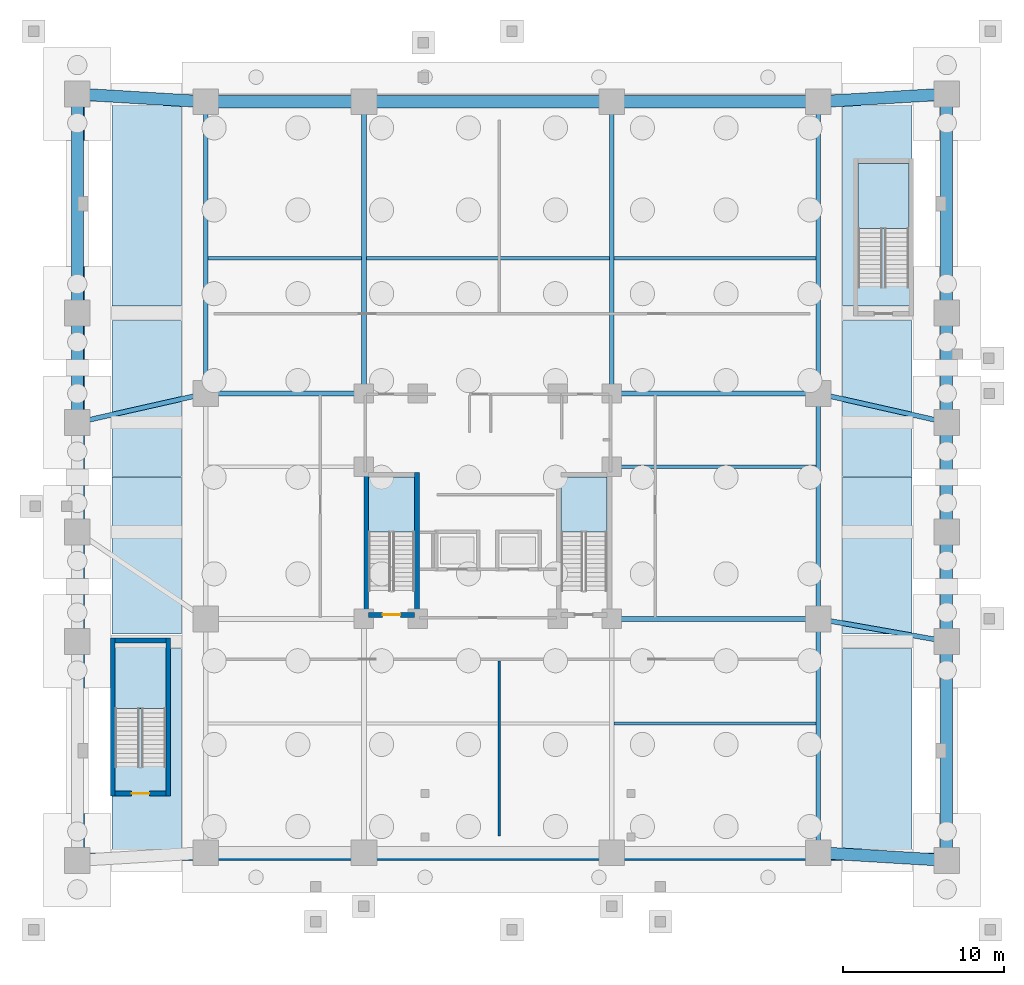
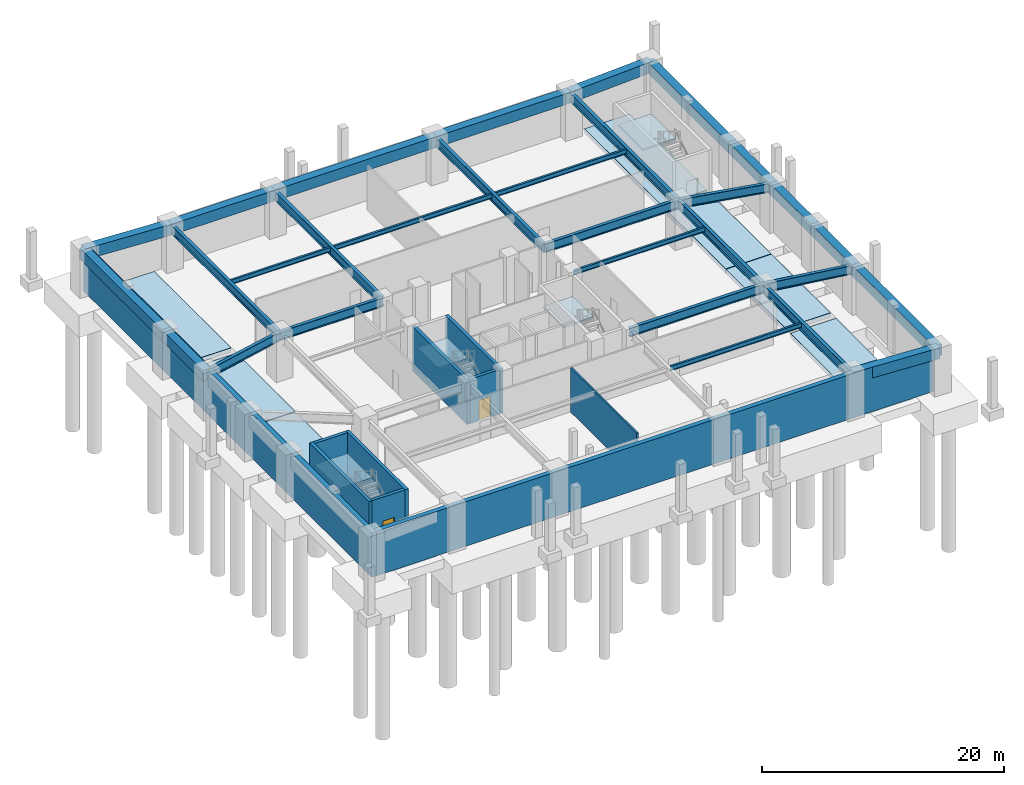
# One storey, part 3 of 8: 30 beams, 12 slabs, 10 walls, 2 doors, 2 openings, 4 elements without a shape of their own.
"""IFC4 building model written with IfcOpenShell, lengths in metres."""

from ifc_helpers import new_model, si_unit, derived_unit, direction, frame, frame_2d, origin, origin_2d, place, context, subcontext, project, spatial, polyline, rectangle, i_section, outline, extrude, material, layer, layer_set, material_profile, profile_set, type_object, element, fill, aggregate, save


model = new_model("IFC4")

# Units and contexts
model_context = context("Model", 3, precision=1e-05, world=origin(), true_north=direction((0.0, 1.0)))
body_context = subcontext(model_context, "Body", "Model", "MODEL_VIEW")
ifc_project = project(units=[si_unit("LENGTHUNIT", "METRE"), si_unit("AREAUNIT", "SQUARE_METRE"), si_unit("VOLUMEUNIT", "CUBIC_METRE"), si_unit("PLANEANGLEUNIT", "RADIAN"), si_unit("MASSUNIT", "GRAM", prefix="KILO"), derived_unit("THERMALTRANSMITTANCEUNIT", [(si_unit("MASSUNIT", "GRAM", prefix="KILO"), 1), (si_unit("TIMEUNIT", "SECOND"), -3), (si_unit("THERMODYNAMICTEMPERATUREUNIT", "KELVIN"), -1)])], contexts=[model_context])

# Site, building, storey
site_placement = place(None, origin())
site = spatial("IfcSite", under=ifc_project, at=site_placement, CompositionType="ELEMENT")
building_placement = place(site_placement, origin())
building = spatial("IfcBuilding", under=site, at=building_placement, Name="Korrvale Station Residences", CompositionType="ELEMENT")
storey_placement = place(building_placement, frame((0.0, 0.0, -9.60009765625)))
storey = spatial("IfcBuildingStorey", under=building, at=storey_placement, Name="B02", CompositionType="ELEMENT", Elevation=-9.60009765625)

# Beams
ifc_material_1 = material(Name="Steel S355", Category="steel")
ifc_material_profile_1 = material_profile(ifc_material_1, i_section(OverallWidth=0.300048828125, OverallDepth=0.89990234375, WebThickness=0.01611328125, FlangeThickness=0.030029296875, FilletRadius=0.01611328125, at=origin_2d()), Name="WWF900x262")
ifc_profile_set_1 = profile_set([ifc_material_profile_1], Name="Steel S355")
beam_type_1 = type_object("IfcBeamType", Name="BM-BM-WWF900x262-S355", PredefinedType="BEAM", material=ifc_profile_set_1)
beam_1_placement = place(storey_placement, frame((7.97998046875, 29.0, 4.030029296875), z_axis=(0.0, 1.0, 0.0), x_axis=(-1.0, 0.0, 0.0)))
element("IfcBeam", 1, at=beam_1_placement, inside=storey, type_object=beam_type_1, Name="B02 Station Primary Girder 03", PredefinedType="BEAM", context=body_context, shape_type="SweptSolid", body=[
    extrude(i_section(OverallWidth=0.300048828125, OverallDepth=0.89990234375, WebThickness=0.01611328125, FlangeThickness=0.030029296875, FilletRadius=0.01611328125, at=origin_2d()), origin(), (0.0, 0.0, 1.0), 18.1201171875),
])
beam_2_placement = place(storey_placement, frame((46.02001953125, 0.47998046875, 4.030029296875), z_axis=(0.0, 1.0, 0.0), x_axis=(-1.0, 0.0, 0.0)))
element("IfcBeam", 2, at=beam_2_placement, inside=storey, type_object=beam_type_1, Name="B02 Station Primary Girder 04", PredefinedType="BEAM", context=body_context, shape_type="SweptSolid", body=[
    extrude(i_section(OverallWidth=0.300048828125, OverallDepth=0.89990234375, WebThickness=0.01611328125, FlangeThickness=0.030029296875, FilletRadius=0.01611328125, at=origin_2d()), origin(), (0.0, 0.0, 1.0), 14.52001953125),
])
beam_3_placement = place(storey_placement, frame((46.02001953125, 15.0, 4.030029296875), z_axis=(0.0, 1.0, 0.0), x_axis=(-1.0, 0.0, 0.0)))
element("IfcBeam", 3, at=beam_3_placement, inside=storey, type_object=beam_type_1, Name="B02 Station Primary Girder 05", PredefinedType="BEAM", context=body_context, shape_type="SweptSolid", body=[
    extrude(i_section(OverallWidth=0.300048828125, OverallDepth=0.89990234375, WebThickness=0.01611328125, FlangeThickness=0.030029296875, FilletRadius=0.01611328125, at=origin_2d()), origin(), (0.0, 0.0, 1.0), 14.0),
])
beam_4_placement = place(storey_placement, frame((46.02001953125, 29.0, 4.030029296875), z_axis=(0.0, 1.0, 0.0), x_axis=(-1.0, 0.0, 0.0)))
element("IfcBeam", 4, at=beam_4_placement, inside=storey, type_object=beam_type_1, Name="B02 Station Primary Girder 06", PredefinedType="BEAM", context=body_context, shape_type="SweptSolid", body=[
    extrude(i_section(OverallWidth=0.300048828125, OverallDepth=0.89990234375, WebThickness=0.01611328125, FlangeThickness=0.030029296875, FilletRadius=0.01611328125, at=origin_2d()), origin(), (0.0, 0.0, 1.0), 18.1201171875),
])
beam_5_placement = place(storey_placement, frame((7.97998046875, 29.0, 4.030029296875), z_axis=(1.0, 0.0, 0.0), x_axis=(0.0, 1.0, 0.0)))
element("IfcBeam", 5, at=beam_5_placement, inside=storey, type_object=beam_type_1, Name="B02 Station Primary Girder 08", PredefinedType="BEAM", context=body_context, shape_type="SweptSolid", body=[
    extrude(i_section(OverallWidth=0.300048828125, OverallDepth=0.89990234375, WebThickness=0.01611328125, FlangeThickness=0.030029296875, FilletRadius=0.01611328125, at=origin_2d()), origin(), (0.0, 0.0, 1.0), 9.820068359375),
])
for number, where, z_axis, x_axis, name in (
    (6, (17.800048828125, 29.0, 4.030029296875), (0.0, 1.0, 0.0), (-1.0, 0.0, 0.0), "B02 Station Primary Girder 09"),
    (7, (33.199951171875, 29.0, 4.030029296875), (0.0, 1.0, 0.0), (-1.0, 0.0, 0.0), "B02 Station Primary Girder 10"),
):
    element("IfcBeam", number, at=place(storey_placement, frame(where, z_axis=z_axis, x_axis=x_axis)), inside=storey, type_object=beam_type_1, Name=name, PredefinedType="BEAM", context=body_context, shape_type="SweptSolid", body=[
        extrude(i_section(OverallWidth=0.300048828125, OverallDepth=0.89990234375, WebThickness=0.01611328125, FlangeThickness=0.030029296875, FilletRadius=0.01611328125, at=origin_2d()), origin(), (0.0, 0.0, 1.0), 18.1201171875),
    ])
beam_6_placement = place(storey_placement, frame((0.0, 27.199951171875, 4.030029296875), z_axis=(0.975490412643, 0.220041938824, 0.0), x_axis=(-0.220041938824, 0.975490412643, 0.0)))
element("IfcBeam", 8, at=beam_6_placement, inside=storey, type_object=beam_type_1, Name="B02 Station Primary Girder 12", PredefinedType="BEAM", context=body_context, shape_type="SweptSolid", body=[
    extrude(i_section(OverallWidth=0.300048828125, OverallDepth=0.89990234375, WebThickness=0.01611328125, FlangeThickness=0.030029296875, FilletRadius=0.01611328125, at=origin_2d()), origin(), (0.0, 0.0, 1.0), 8.180419921875),
])
beam_7_placement = place(storey_placement, frame((46.02001953125, 15.0, 4.030029296875), z_axis=(0.98495900412, -0.172788194628, 0.0), x_axis=(0.172788194628, 0.98495900412, 0.0)))
element("IfcBeam", 9, at=beam_7_placement, inside=storey, type_object=beam_type_1, Name="B02 Station Primary Girder 13", PredefinedType="BEAM", context=body_context, shape_type="SweptSolid", body=[
    extrude(i_section(OverallWidth=0.300048828125, OverallDepth=0.89990234375, WebThickness=0.01611328125, FlangeThickness=0.030029296875, FilletRadius=0.01611328125, at=origin_2d()), origin(), (0.0, 0.0, 1.0), 8.101806640625),
])
beam_8_placement = place(storey_placement, frame((46.02001953125, 29.0, 4.030029296875), z_axis=(0.975490412643, -0.220041938824, 0.0), x_axis=(0.220041938824, 0.975490412643, 0.0)))
element("IfcBeam", 10, at=beam_8_placement, inside=storey, type_object=beam_type_1, Name="B02 Station Primary Girder 14", PredefinedType="BEAM", context=body_context, shape_type="SweptSolid", body=[
    extrude(i_section(OverallWidth=0.300048828125, OverallDepth=0.89990234375, WebThickness=0.01611328125, FlangeThickness=0.030029296875, FilletRadius=0.01611328125, at=origin_2d()), origin(), (0.0, 0.0, 1.0), 8.180419921875),
])
for number, where, z_axis, x_axis, name in (
    (11, (33.199951171875, 15.0, 4.030029296875), (1.0, 0.0, 0.0), (0.0, 1.0, 0.0), "B02 Station Primary Girder 15"),
    (12, (33.199951171875, 29.0, 4.030029296875), (1.0, 0.0, 0.0), (0.0, 1.0, 0.0), "B02 Station Primary Girder 16"),
):
    element("IfcBeam", number, at=place(storey_placement, frame(where, z_axis=z_axis, x_axis=x_axis)), inside=storey, type_object=beam_type_1, Name=name, PredefinedType="BEAM", context=body_context, shape_type="SweptSolid", body=[
        extrude(i_section(OverallWidth=0.300048828125, OverallDepth=0.89990234375, WebThickness=0.01611328125, FlangeThickness=0.030029296875, FilletRadius=0.01611328125, at=origin_2d()), origin(), (0.0, 0.0, 1.0), 12.820068359375),
    ])
ifc_material_profile_2 = material_profile(ifc_material_1, i_section(OverallWidth=0.18994140625, OverallDepth=0.45703125, WebThickness=0.009033203125, FlangeThickness=0.014404296875, FilletRadius=0.01611328125, at=origin_2d()), Name="W460x74")
ifc_profile_set_2 = profile_set([ifc_material_profile_2], Name="Steel S355")
beam_type_2 = type_object("IfcBeamType", Name="BM-JST-W460x74-S355", PredefinedType="JOIST", material=ifc_profile_set_2)
beam_9_placement = place(storey_placement, frame((8.1298828125, 37.39990234375, 4.251708984375), z_axis=(1.0, 0.0, 0.0), x_axis=(0.0, 1.0, 0.0)))
element("IfcBeam", 13, at=beam_9_placement, inside=storey, type_object=beam_type_2, Name="B02 Station Floor Joist 01", PredefinedType="JOIST", context=body_context, shape_type="SweptSolid", body=[
    extrude(i_section(OverallWidth=0.18994140625, OverallDepth=0.45703125, WebThickness=0.009033203125, FlangeThickness=0.014404296875, FilletRadius=0.01611328125, at=origin_2d()), origin(), (0.0, 0.0, 1.0), 9.52001953125),
])
beam_10_placement = place(storey_placement, frame((17.949951171875, 37.39990234375, 4.251708984375), z_axis=(1.0, 0.0, 0.0), x_axis=(0.0, 1.0, 0.0)))
element("IfcBeam", 14, at=beam_10_placement, inside=storey, type_object=beam_type_2, Name="B02 Station Floor Joist 02", PredefinedType="JOIST", context=body_context, shape_type="SweptSolid", body=[
    extrude(i_section(OverallWidth=0.18994140625, OverallDepth=0.45703125, WebThickness=0.009033203125, FlangeThickness=0.014404296875, FilletRadius=0.01611328125, at=origin_2d()), origin(), (0.0, 0.0, 1.0), 15.10009765625),
])
for number, where, z_axis, x_axis, name in (
    (15, (33.35009765625, 37.39990234375, 4.251708984375), (1.0, 0.0, 0.0), (0.0, 1.0, 0.0), "B02 Station Floor Joist 03"),
    (16, (33.35009765625, 8.5, 4.251708984375), (1.0, 0.0, 0.0), (0.0, 1.0, 0.0), "B02 Station Floor Joist 07"),
    (17, (33.35009765625, 24.449951171875, 4.251708984375), (1.0, 0.0, 0.0), (0.0, 1.0, 0.0), "B02 Station Floor Joist 08"),
):
    element("IfcBeam", number, at=place(storey_placement, frame(where, z_axis=z_axis, x_axis=x_axis)), inside=storey, type_object=beam_type_2, Name=name, PredefinedType="JOIST", context=body_context, shape_type="SweptSolid", body=[
        extrude(i_section(OverallWidth=0.18994140625, OverallDepth=0.45703125, WebThickness=0.009033203125, FlangeThickness=0.014404296875, FilletRadius=0.01611328125, at=origin_2d()), origin(), (0.0, 0.0, 1.0), 12.52001953125),
    ])
ifc_material_2 = material(Name="Concrete C70/85", Category="concrete")
ifc_material_profile_3 = material_profile(ifc_material_2, rectangle(XDim=0.75, YDim=1.10009765625, at=origin_2d()), Name="RCB750x1100")
ifc_profile_set_3 = profile_set([ifc_material_profile_3], Name="Concrete C70/85")
beam_type_3 = type_object("IfcBeamType", Name="BM-SPB-RCB750x1100-C7085", PredefinedType="SPANDREL", material=ifc_profile_set_3)
beam_11_placement = place(storey_placement, frame((0.0, 27.199951171875, 3.93017578125), z_axis=(0.0, 1.0, 0.0), x_axis=(-1.0, 0.0, 0.0)))
element("IfcBeam", 18, at=beam_11_placement, inside=storey, type_object=beam_type_3, Name="B02 Station Spandrel Beam 04", PredefinedType="SPANDREL", context=body_context, shape_type="SweptSolid", body=[
    extrude(rectangle(XDim=0.75, YDim=1.10009765625, at=origin_2d()), origin(), (0.0, 0.0, 1.0), 6.800048828125),
])
for number, where, z_axis, x_axis, name in (
    (19, (0.0, 34.0, 3.93017578125), (0.0, 1.0, 0.0), (-1.0, 0.0, 0.0), "B02 Station Spandrel Beam 05"),
    (20, (54.0, 0.0, 3.93017578125), (0.0, 1.0, 0.0), (-1.0, 0.0, 0.0), "B02 Station Spandrel Beam 06"),
):
    element("IfcBeam", number, at=place(storey_placement, frame(where, z_axis=z_axis, x_axis=x_axis)), inside=storey, type_object=beam_type_3, Name=name, PredefinedType="SPANDREL", context=body_context, shape_type="SweptSolid", body=[
        extrude(rectangle(XDim=0.75, YDim=1.10009765625, at=origin_2d()), origin(), (0.0, 0.0, 1.0), 13.60009765625),
    ])
beam_12_placement = place(storey_placement, frame((54.0, 13.60009765625, 3.93017578125), z_axis=(0.0, 1.0, 0.0), x_axis=(-1.0, 0.0, 0.0)))
element("IfcBeam", 21, at=beam_12_placement, inside=storey, type_object=beam_type_3, Name="B02 Station Spandrel Beam 07", PredefinedType="SPANDREL", context=body_context, shape_type="SweptSolid", body=[
    extrude(rectangle(XDim=0.75, YDim=1.10009765625, at=origin_2d()), origin(), (0.0, 0.0, 1.0), 6.7998046875),
])
for number, where, z_axis, x_axis, name in (
    (22, (54.0, 20.39990234375, 3.93017578125), (0.0, 1.0, 0.0), (-1.0, 0.0, 0.0), "B02 Station Spandrel Beam 08"),
    (23, (54.0, 27.199951171875, 3.93017578125), (0.0, 1.0, 0.0), (-1.0, 0.0, 0.0), "B02 Station Spandrel Beam 09"),
):
    element("IfcBeam", number, at=place(storey_placement, frame(where, z_axis=z_axis, x_axis=x_axis)), inside=storey, type_object=beam_type_3, Name=name, PredefinedType="SPANDREL", context=body_context, shape_type="SweptSolid", body=[
        extrude(rectangle(XDim=0.75, YDim=1.10009765625, at=origin_2d()), origin(), (0.0, 0.0, 1.0), 6.800048828125),
    ])
beam_13_placement = place(storey_placement, frame((54.0, 34.0, 3.93017578125), z_axis=(0.0, 1.0, 0.0), x_axis=(-1.0, 0.0, 0.0)))
element("IfcBeam", 24, at=beam_13_placement, inside=storey, type_object=beam_type_3, Name="B02 Station Spandrel Beam 10", PredefinedType="SPANDREL", context=body_context, shape_type="SweptSolid", body=[
    extrude(rectangle(XDim=0.75, YDim=1.10009765625, at=origin_2d()), origin(), (0.0, 0.0, 1.0), 13.60009765625),
])
for number, where, z_axis, x_axis, name in (
    (25, (46.02001953125, 0.47998046875, 3.93017578125), (0.998195997903, -0.060039568374, 0.0), (0.060039568374, 0.998195997903, 0.0), "B02 Station Spandrel Beam 15"),
    (26, (0.0, 47.60009765625, 3.93017578125), (0.998195997903, -0.060039568374, 0.0), (0.060039568374, 0.998195997903, 0.0), "B02 Station Spandrel Beam 16"),
):
    element("IfcBeam", number, at=place(storey_placement, frame(where, z_axis=z_axis, x_axis=x_axis)), inside=storey, type_object=beam_type_3, Name=name, PredefinedType="SPANDREL", context=body_context, shape_type="SweptSolid", body=[
        extrude(rectangle(XDim=0.75, YDim=1.10009765625, at=origin_2d()), origin(), (0.0, 0.0, 1.0), 7.994384765625),
    ])
beam_14_placement = place(storey_placement, frame((7.97998046875, 47.1201171875, 3.93017578125), z_axis=(1.0, 0.0, 0.0), x_axis=(0.0, 1.0, 0.0)))
element("IfcBeam", 27, at=beam_14_placement, inside=storey, type_object=beam_type_3, Name="B02 Station Spandrel Beam 17", PredefinedType="SPANDREL", context=body_context, shape_type="SweptSolid", body=[
    extrude(rectangle(XDim=0.75, YDim=1.10009765625, at=origin_2d()), origin(), (0.0, 0.0, 1.0), 9.820068359375),
])
beam_15_placement = place(storey_placement, frame((17.800048828125, 47.1201171875, 3.93017578125), z_axis=(1.0, 0.0, 0.0), x_axis=(0.0, 1.0, 0.0)))
element("IfcBeam", 28, at=beam_15_placement, inside=storey, type_object=beam_type_3, Name="B02 Station Spandrel Beam 18", PredefinedType="SPANDREL", context=body_context, shape_type="SweptSolid", body=[
    extrude(rectangle(XDim=0.75, YDim=1.10009765625, at=origin_2d()), origin(), (0.0, 0.0, 1.0), 15.39990234375),
])
beam_16_placement = place(storey_placement, frame((33.199951171875, 47.1201171875, 3.93017578125), z_axis=(1.0, 0.0, 0.0), x_axis=(0.0, 1.0, 0.0)))
element("IfcBeam", 29, at=beam_16_placement, inside=storey, type_object=beam_type_3, Name="B02 Station Spandrel Beam 19", PredefinedType="SPANDREL", context=body_context, shape_type="SweptSolid", body=[
    extrude(rectangle(XDim=0.75, YDim=1.10009765625, at=origin_2d()), origin(), (0.0, 0.0, 1.0), 12.820068359375),
])
beam_17_placement = place(storey_placement, frame((46.02001953125, 47.1201171875, 3.93017578125), z_axis=(0.998195997903, 0.060039568374, 0.0), x_axis=(-0.060039568374, 0.998195997903, 0.0)))
element("IfcBeam", 30, at=beam_17_placement, inside=storey, type_object=beam_type_3, Name="B02 Station Spandrel Beam 20", PredefinedType="SPANDREL", context=body_context, shape_type="SweptSolid", body=[
    extrude(rectangle(XDim=0.75, YDim=1.10009765625, at=origin_2d()), origin(), (0.0, 0.0, 1.0), 7.994384765625),
])

# Slabs
ifc_material_3 = material(Name="Concrete C50/60", Category="concrete")
ifc_layer_1 = layer(ifc_material_3, 0.449951171875, Name="Concrete C50/60")
ifc_layer_set_1 = layer_set([ifc_layer_1], Name="Concrete C50/60")
slab_type_1 = type_object("IfcSlabType", Name="SLB-BASE-450", PredefinedType="BASESLAB", material=ifc_layer_set_1)
slab_1_placement = place(storey_placement, frame((0.0, 0.0, -0.449951171875)))
element("IfcSlab", 31, at=slab_1_placement, inside=storey, type_object=slab_type_1, Name="Basement B02 Structural Base Slab W1", PredefinedType="BASESLAB", context=body_context, shape_type="SweptSolid", body=[
    extrude(outline(polyline([(2.14990234375, 0.449951171875), (6.47998046875, 0.449951171875), (6.47998046875, 13.14990234375), (2.14990234375, 13.14990234375), (2.14990234375, 0.449951171875)])), origin(), (0.0, 0.0, 1.0), 0.449951171875),
])
slab_2_placement = place(storey_placement, frame((0.0, 0.0, -0.449951171875)))
element("IfcSlab", 32, at=slab_2_placement, inside=storey, type_object=slab_type_1, Name="Basement B02 Structural Base Slab W2", PredefinedType="BASESLAB", context=body_context, shape_type="SweptSolid", body=[
    extrude(outline(polyline([(2.14990234375, 14.050048828125), (6.47998046875, 14.050048828125), (6.47998046875, 23.800048828125), (2.14990234375, 23.800048828125), (2.14990234375, 14.050048828125)])), origin(), (0.0, 0.0, 1.0), 0.449951171875),
])
slab_3_placement = place(storey_placement, frame((0.0, 0.0, -0.449951171875)))
element("IfcSlab", 33, at=slab_3_placement, inside=storey, type_object=slab_type_1, Name="Basement B02 Structural Base Slab W3", PredefinedType="BASESLAB", context=body_context, shape_type="SweptSolid", body=[
    extrude(outline(polyline([(2.14990234375, 23.85009765625), (6.47998046875, 23.85009765625), (6.47998046875, 33.550048828125), (2.14990234375, 33.550048828125), (2.14990234375, 23.85009765625)])), origin(), (0.0, 0.0, 1.0), 0.449951171875),
])
slab_4_placement = place(storey_placement, frame((0.0, 0.0, -0.449951171875)))
element("IfcSlab", 34, at=slab_4_placement, inside=storey, type_object=slab_type_1, Name="Basement B02 Structural Base Slab W4", PredefinedType="BASESLAB", context=body_context, shape_type="SweptSolid", body=[
    extrude(outline(polyline([(2.14990234375, 34.449951171875), (6.47998046875, 34.449951171875), (6.47998046875, 47.14990234375), (2.14990234375, 47.14990234375), (2.14990234375, 34.449951171875)])), origin(), (0.0, 0.0, 1.0), 0.449951171875),
])
slab_5_placement = place(storey_placement, frame((0.0, 0.0, -0.449951171875)))
element("IfcSlab", 35, at=slab_5_placement, inside=storey, type_object=slab_type_1, Name="Basement B02 Structural Base Slab E1", PredefinedType="BASESLAB", context=body_context, shape_type="SweptSolid", body=[
    extrude(outline(polyline([(47.52001953125, 0.449951171875), (51.85009765625, 0.449951171875), (51.85009765625, 13.14990234375), (47.52001953125, 13.14990234375), (47.52001953125, 0.449951171875)])), origin(), (0.0, 0.0, 1.0), 0.449951171875),
])
slab_6_placement = place(storey_placement, frame((0.0, 0.0, -0.449951171875)))
element("IfcSlab", 36, at=slab_6_placement, inside=storey, type_object=slab_type_1, Name="Basement B02 Structural Base Slab E2", PredefinedType="BASESLAB", context=body_context, shape_type="SweptSolid", body=[
    extrude(outline(polyline([(47.52001953125, 14.050048828125), (51.85009765625, 14.050048828125), (51.85009765625, 23.800048828125), (47.52001953125, 23.800048828125), (47.52001953125, 14.050048828125)])), origin(), (0.0, 0.0, 1.0), 0.449951171875),
])
slab_7_placement = place(storey_placement, frame((0.0, 0.0, -0.449951171875)))
element("IfcSlab", 37, at=slab_7_placement, inside=storey, type_object=slab_type_1, Name="Basement B02 Structural Base Slab E3", PredefinedType="BASESLAB", context=body_context, shape_type="SweptSolid", body=[
    extrude(outline(polyline([(47.52001953125, 23.85009765625), (51.85009765625, 23.85009765625), (51.85009765625, 33.550048828125), (47.52001953125, 33.550048828125), (47.52001953125, 23.85009765625)])), origin(), (0.0, 0.0, 1.0), 0.449951171875),
])
slab_8_placement = place(storey_placement, frame((0.0, 0.0, -0.449951171875)))
element("IfcSlab", 38, at=slab_8_placement, inside=storey, type_object=slab_type_1, Name="Basement B02 Structural Base Slab E4", PredefinedType="BASESLAB", context=body_context, shape_type="SweptSolid", body=[
    extrude(outline(polyline([(47.52001953125, 34.449951171875), (51.85009765625, 34.449951171875), (51.85009765625, 47.14990234375), (47.52001953125, 47.14990234375), (47.52001953125, 34.449951171875)])), origin(), (0.0, 0.0, 1.0), 0.449951171875),
])

# Stair, slab
stair_type_1 = type_object("IfcStairType", Name="STR-DL-1350-28R-1714", PredefinedType="HALF_TURN_STAIR", material=ifc_material_3)
stair_1_placement = place(storey_placement, origin())
stair_1 = element("IfcStair", 39, at=stair_1_placement, inside=storey, type_object=stair_type_1, Name="B02 Exit Stair 1", PredefinedType="HALF_TURN_STAIR")
ifc_layer_2 = layer(ifc_material_3, 0.199951171875, Name="Concrete C50/60")
ifc_layer_set_2 = layer_set([ifc_layer_2], Name="Concrete C50/60")
slab_type_2 = type_object("IfcSlabType", Name="SLB-LND-200", PredefinedType="LANDING", material=ifc_layer_set_2)
slab_9_placement = place(storey_placement, frame((0.0, 0.0, 2.2001953125)))
slab_9 = element("IfcSlab", 40, at=slab_9_placement, type_object=slab_type_2, Name="ST-1 landing 1", PredefinedType="LANDING", context=body_context, shape_type="SweptSolid", body=[
    extrude(outline(polyline([(20.949951171875, 20.389892578125), (20.949951171875, 23.800048828125), (18.10009765625, 23.800048828125), (18.10009765625, 20.389892578125), (20.949951171875, 20.389892578125)])), origin(), (0.0, 0.0, 1.0), 0.199951171875),
])
aggregate(stair_1, [slab_9])

stair_2_placement = place(storey_placement, origin())
stair_2 = element("IfcStair", 41, at=stair_2_placement, inside=storey, type_object=stair_type_1, Name="B02 Exit Stair 2", PredefinedType="HALF_TURN_STAIR")
slab_10_placement = place(storey_placement, frame((0.0, 0.0, 2.2001953125)))
slab_10 = element("IfcSlab", 42, at=slab_10_placement, type_object=slab_type_2, Name="ST-2 landing 1", PredefinedType="LANDING", context=body_context, shape_type="SweptSolid", body=[
    extrude(outline(polyline([(32.89990234375, 20.389892578125), (32.89990234375, 23.800048828125), (30.050048828125, 23.800048828125), (30.050048828125, 20.389892578125), (32.89990234375, 20.389892578125)])), origin(), (0.0, 0.0, 1.0), 0.199951171875),
])
aggregate(stair_2, [slab_10])

stair_type_2 = type_object("IfcStairType", Name="STR-DL-1500-28R-1714", PredefinedType="HALF_TURN_STAIR", material=ifc_material_3)
stair_3_placement = place(storey_placement, origin())
stair_3 = element("IfcStair", 43, at=stair_3_placement, inside=storey, type_object=stair_type_2, Name="B02 Station Exit Stair 3", PredefinedType="HALF_TURN_STAIR")
slab_11_placement = place(storey_placement, frame((0.0, 0.0, 2.2001953125)))
slab_11 = element("IfcSlab", 44, at=slab_11_placement, type_object=slab_type_2, Name="ST-3 landing 1", PredefinedType="LANDING", context=body_context, shape_type="SweptSolid", body=[
    extrude(outline(polyline([(5.5, 9.43994140625), (5.5, 13.5), (2.35009765625, 13.5), (2.35009765625, 9.43994140625), (5.5, 9.43994140625)])), origin(), (0.0, 0.0, 1.0), 0.199951171875),
])
aggregate(stair_3, [slab_11])

stair_4_placement = place(storey_placement, origin())
stair_4 = element("IfcStair", 45, at=stair_4_placement, inside=storey, type_object=stair_type_2, Name="B02 Station Exit Stair 4", PredefinedType="HALF_TURN_STAIR")
slab_12_placement = place(storey_placement, frame((0.0, 0.0, 2.2001953125)))
slab_12 = element("IfcSlab", 46, at=slab_12_placement, type_object=slab_type_2, Name="ST-4 landing 1", PredefinedType="LANDING", context=body_context, shape_type="SweptSolid", body=[
    extrude(outline(polyline([(51.64990234375, 39.239990234375), (51.64990234375, 43.300048828125), (48.5, 43.300048828125), (48.5, 39.239990234375), (51.64990234375, 39.239990234375)])), origin(), (0.0, 0.0, 1.0), 0.199951171875),
])
aggregate(stair_4, [slab_12])

# Walls
ifc_layer_3 = layer(ifc_material_2, 0.300048828125, Name="Concrete C70/85")
ifc_layer_set_3 = layer_set([ifc_layer_3], Name="Concrete C70/85")
wall_type_1 = type_object("IfcWallType", Name="WAL-CORE-300-C70", PredefinedType="SHEAR", material=ifc_layer_set_3)
for number, where, z_axis, x_axis, name in (
    (47, (17.949951171875, 15.10009765625, 0.0), (0.0, 0.0, 1.0), (0.0, 1.0, 0.0), "B02 ST-1 Core Shear Wall West"),
    (48, (21.10009765625, 15.10009765625, 0.0), (0.0, 0.0, 1.0), (0.0, 1.0, 0.0), "B02 ST-1 Core Shear Wall East"),
):
    element("IfcWall", number, at=place(storey_placement, frame(where, z_axis=z_axis, x_axis=x_axis)), inside=storey, type_object=wall_type_1, Name=name, PredefinedType="SHEAR", context=body_context, shape_type="SweptSolid", body=[
        extrude(rectangle(XDim=9.0, YDim=0.300048828125, at=frame_2d((4.5, 0.0))), origin(), (0.0, 0.0, 1.0), 4.47998046875),
    ])

# Wall, opening, door
wall_1_placement = place(storey_placement, frame((18.10009765625, 15.25, 0.0), z_axis=(0.0, 0.0, 1.0), x_axis=(1.0, 0.0, 0.0)))
wall_1 = element("IfcWall", 49, at=wall_1_placement, inside=storey, type_object=wall_type_1, Name="B02 ST-1 Core Shear Wall South", PredefinedType="SHEAR", context=body_context, shape_type="SweptSolid", body=[
    extrude(rectangle(XDim=2.849853515625, YDim=0.300048828125, at=frame_2d((1.4248046875, 0.0))), origin(), (0.0, 0.0, 1.0), 4.47998046875),
])
opening_1_placement = place(wall_1_placement, frame((0.860107421875, 0.0, 0.0)))
opening_1 = element("IfcOpeningElement", 50, at=opening_1_placement, cuts=wall_1, Name="Opening SD-1100", PredefinedType="OPENING", context=body_context, shape_type="SweptSolid", body=[
    extrude(rectangle(XDim=1.10009765625, YDim=2.050048828125, at=frame_2d((0.550048828125, 1.02490234375))), frame((0.0, 0.16015625, 0.0), z_axis=(0.0, -1.0, 0.0), x_axis=(1.0, 0.0, 0.0)), (0.0, 0.0, 1.0), 0.320068359375),
])
ifc_material_4 = material(Name="Hollow-metal fire-rated stair door with closer", Category="steel")
door_type = type_object("IfcDoorType", Name="DR-STAIR-1100", OperationType="NOTDEFINED", PredefinedType="DOOR", material=ifc_material_4)
door_1_placement = place(opening_1_placement, origin())
door_1 = element("IfcDoor", 51, at=door_1_placement, inside=storey, type_object=door_type, Name="B02 ST-1 Exit Stair Door", OperationType="SINGLE_SWING_LEFT", OverallHeight=2.050048828125, OverallWidth=1.10009765625, PredefinedType="DOOR", context=body_context, shape_type="SweptSolid", body=[
    extrude(rectangle(XDim=1.10009765625, YDim=2.050048828125, at=frame_2d((0.550048828125, 1.02490234375))), frame((0.0, 0.02490234375, 0.0), z_axis=(0.0, -1.0, 0.0), x_axis=(1.0, 0.0, 0.0)), (0.0, 0.0, 1.0), 0.050048828125),
])
fill(opening_1, door_1)

# Walls
for number, where, z_axis, x_axis, name in (
    (52, (2.199951171875, 4.0, 0.0), (0.0, 0.0, 1.0), (0.0, 1.0, 0.0), "B02 ST-3 Core Shear Wall West"),
    (53, (5.64990234375, 4.0, 0.0), (0.0, 0.0, 1.0), (0.0, 1.0, 0.0), "B02 ST-3 Core Shear Wall East"),
):
    element("IfcWall", number, at=place(storey_placement, frame(where, z_axis=z_axis, x_axis=x_axis)), inside=storey, type_object=wall_type_1, Name=name, PredefinedType="SHEAR", context=body_context, shape_type="SweptSolid", body=[
        extrude(rectangle(XDim=9.800048828125, YDim=0.300048828125, at=frame_2d((4.89990234375, 0.0))), origin(), (0.0, 0.0, 1.0), 4.47998046875),
    ])
wall_2_placement = place(storey_placement, frame((2.35009765625, 13.64990234375, 0.0), z_axis=(0.0, 0.0, 1.0), x_axis=(1.0, 0.0, 0.0)))
element("IfcWall", 54, at=wall_2_placement, inside=storey, type_object=wall_type_1, Name="B02 ST-3 Core Shear Wall North", PredefinedType="SHEAR", context=body_context, shape_type="SweptSolid", body=[
    extrude(rectangle(XDim=3.14990234375, YDim=0.300048828125, at=frame_2d((1.574951171875, 0.0))), origin(), (0.0, 0.0, 1.0), 4.47998046875),
])

# Wall, opening, door
wall_3_placement = place(storey_placement, frame((2.35009765625, 4.14990234375, 0.0), z_axis=(0.0, 0.0, 1.0), x_axis=(1.0, 0.0, 0.0)))
wall_3 = element("IfcWall", 55, at=wall_3_placement, inside=storey, type_object=wall_type_1, Name="B02 ST-3 Core Shear Wall South", PredefinedType="SHEAR", context=body_context, shape_type="SweptSolid", body=[
    extrude(rectangle(XDim=3.14990234375, YDim=0.300048828125, at=frame_2d((1.574951171875, 0.0))), origin(), (0.0, 0.0, 1.0), 4.47998046875),
])
opening_2_placement = place(wall_3_placement, frame((1.02001953125, 0.0, 0.0)))
opening_2 = element("IfcOpeningElement", 56, at=opening_2_placement, cuts=wall_3, Name="Opening SD-1100", PredefinedType="OPENING", context=body_context, shape_type="SweptSolid", body=[
    extrude(rectangle(XDim=1.10009765625, YDim=2.050048828125, at=frame_2d((0.550048828125, 1.02490234375))), frame((0.0, 0.16015625, 0.0), z_axis=(0.0, -1.0, 0.0), x_axis=(1.0, 0.0, 0.0)), (0.0, 0.0, 1.0), 0.320068359375),
])
door_2_placement = place(opening_2_placement, origin())
door_2 = element("IfcDoor", 57, at=door_2_placement, inside=storey, type_object=door_type, Name="B02 ST-3 Exit Stair Door", OperationType="SINGLE_SWING_LEFT", OverallHeight=2.050048828125, OverallWidth=1.10009765625, PredefinedType="DOOR", context=body_context, shape_type="SweptSolid", body=[
    extrude(rectangle(XDim=1.10009765625, YDim=2.050048828125, at=frame_2d((0.550048828125, 1.02490234375))), frame((0.0, 0.02490234375, 0.0), z_axis=(0.0, -1.0, 0.0), x_axis=(1.0, 0.0, 0.0)), (0.0, 0.0, 1.0), 0.050048828125),
])
fill(opening_2, door_2)

# Walls
ifc_material_5 = material(Name="Fire-rated twin-stud gypsum and mineral wool shaftwall assembly", Category="gypsum")
ifc_layer_4 = layer(ifc_material_5, 0.159912109375, Name="Fire-rated twin-stud gypsum and mineral wool shaftwall assembly")
ifc_layer_set_4 = layer_set([ifc_layer_4], Name="Fire-rated twin-stud gypsum and mineral wool shaftwall assembly")
wall_type_2 = type_object("IfcWallType", Name="WAL-PART-200", PredefinedType="PARTITIONING", material=ifc_layer_set_4)
wall_4_placement = place(storey_placement, frame((26.199951171875, 1.5, 0.0), z_axis=(0.0, 0.0, 1.0), x_axis=(0.0, 1.0, 0.0)))
element("IfcWall", 58, at=wall_4_placement, inside=storey, type_object=wall_type_2, Name="B02 Interior Partition W-M1", PredefinedType="PARTITIONING", context=body_context, shape_type="SweptSolid", body=[
    extrude(rectangle(XDim=10.89990234375, YDim=0.159912109375, at=frame_2d((5.449951171875, 0.0))), origin(), (0.0, 0.0, 1.0), 4.47998046875),
])
ifc_layer_5 = layer(ifc_material_3, 0.449951171875, Name="Concrete C50/60")
ifc_layer_set_5 = layer_set([ifc_layer_5], Name="Concrete C50/60")
wall_type_3 = type_object("IfcWallType", Name="WAL-RET-450", PredefinedType="USERDEFINED", material=ifc_layer_set_5)
wall_5_placement = place(storey_placement, frame((53.550048828125, 0.22509765625, 0.0), z_axis=(0.0, 0.0, 1.0), x_axis=(-1.0, 0.0, 0.0)))
element("IfcWall", 59, at=wall_5_placement, inside=storey, type_object=wall_type_3, Name="B02 Perimeter Basement Retaining Wall S", ObjectType="RETAININGWALL", PredefinedType="USERDEFINED", context=body_context, shape_type="SweptSolid", body=[
    extrude(rectangle(XDim=53.10009765625, YDim=0.449951171875, at=frame_2d((26.550048828125, 0.0))), origin(), (0.0, 0.0, 1.0), 4.47998046875),
])
wall_6_placement = place(storey_placement, frame((0.22509765625, 0.0, 0.0), z_axis=(0.0, 0.0, 1.0), x_axis=(0.0, 1.0, 0.0)))
element("IfcWall", 60, at=wall_6_placement, inside=storey, type_object=wall_type_3, Name="B02 Perimeter Basement Retaining Wall W", ObjectType="RETAININGWALL", PredefinedType="USERDEFINED", context=body_context, shape_type="SweptSolid", body=[
    extrude(rectangle(XDim=47.60009765625, YDim=0.449951171875, at=frame_2d((23.800048828125, 0.0))), origin(), (0.0, 0.0, 1.0), 4.47998046875),
])

save(model, "model.ifc")
